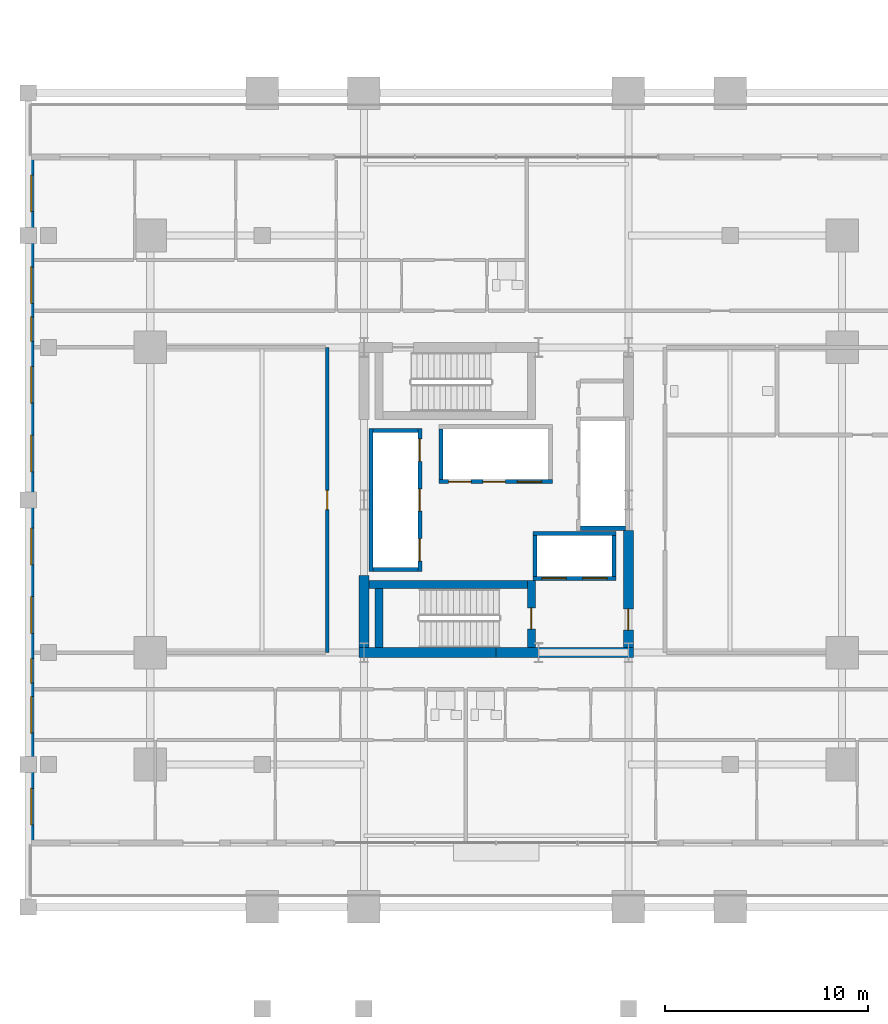
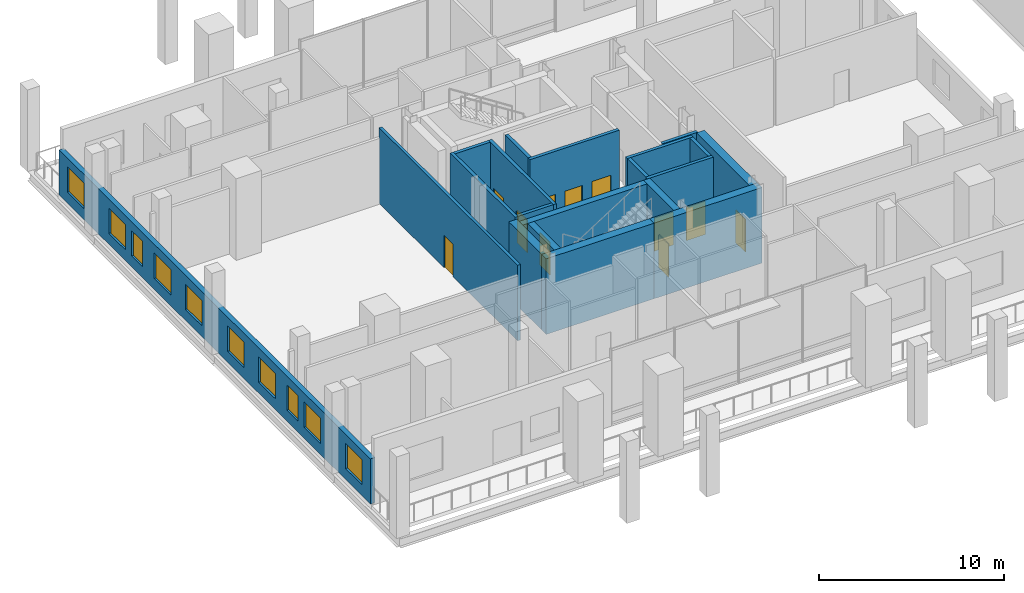
# One storey, part 17 of 25: 20 walls, 11 doors, 10 windows, 21 openings.
"""IFC4 building model written with IfcOpenShell, lengths in metres."""

from ifc_helpers import new_model, si_unit, direction, frame, frame_2d, origin, place, context, subcontext, project, spatial, rectangle, extrude, material, layer, layer_set, type_object, element, fill, save


model = new_model("IFC4")

# Units and contexts
model_context = context("Model", 3, precision=1e-05, world=origin(), true_north=direction((0.0, 1.0)))
body_context = subcontext(model_context, "Body", "Model", "MODEL_VIEW")
ifc_project = project(units=[si_unit("LENGTHUNIT", "METRE"), si_unit("AREAUNIT", "SQUARE_METRE"), si_unit("VOLUMEUNIT", "CUBIC_METRE"), si_unit("PLANEANGLEUNIT", "RADIAN"), si_unit("MASSUNIT", "GRAM", prefix="KILO")], contexts=[model_context])

# Site, building, storey
site_placement = place(None, origin())
site = spatial("IfcSite", under=ifc_project, at=site_placement, CompositionType="ELEMENT")
building_placement = place(site_placement, origin())
building = spatial("IfcBuilding", under=site, at=building_placement, Name="Barlavira Tower and Art Museum", CompositionType="ELEMENT")
storey_placement = place(building_placement, frame((0.0, 0.0, 22.199951171875)))
storey = spatial("IfcBuildingStorey", under=building, at=storey_placement, Name="L04", CompositionType="ELEMENT", Elevation=22.199951171875)

# Walls
ifc_material_1 = material(Name="Concrete C60", Category="concrete")
ifc_layer_1 = layer(ifc_material_1, 0.5, Name="Concrete C60")
ifc_layer_set_1 = layer_set([ifc_layer_1], Name="Concrete C60")
wall_type_1 = type_object("IfcWallType", Name="Core Structural Shear Wall 500 Concrete C60", PredefinedType="SHEAR", material=ifc_layer_set_1)
for number, where, z_axis, x_axis, name in (
    (1, (-6.75, -7.5, 0.0), (0.0, 0.0, 1.0), (1.0, 0.0, 0.0), "L04 Core Shear Wall CS-SW"),
    (2, (0.0, -7.5, 0.0), (0.0, 0.0, 1.0), (1.0, 0.0, 0.0), "L04 Core Shear Wall CS-SE"),
):
    element("IfcWall", number, at=place(storey_placement, frame(where, z_axis=z_axis, x_axis=x_axis)), inside=storey, type_object=wall_type_1, Name=name, PredefinedType="SHEAR", context=body_context, shape_type="SweptSolid", body=[
        extrude(rectangle(XDim=6.75, YDim=0.5, at=frame_2d((3.375, 0.0))), origin(), (0.0, 0.0, 1.0), 5.0),
    ])
wall_1_placement = place(storey_placement, frame((-6.5, -7.25, 0.0), z_axis=(0.0, 0.0, 1.0), x_axis=(0.0, 1.0, 0.0)))
element("IfcWall", 3, at=wall_1_placement, inside=storey, type_object=wall_type_1, Name="L04 Core Shear Wall CS-W1", PredefinedType="SHEAR", context=body_context, shape_type="SweptSolid", body=[
    extrude(rectangle(XDim=3.550048828125, YDim=0.5, at=frame_2d((1.77490234375, 0.0))), origin(), (0.0, 0.0, 1.0), 5.0),
])

# Wall, opening, door
wall_2_placement = place(storey_placement, frame((6.5, -7.25, 0.0), z_axis=(0.0, 0.0, 1.0), x_axis=(0.0, 1.0, 0.0)))
wall_2 = element("IfcWall", 4, at=wall_2_placement, inside=storey, type_object=wall_type_1, Name="L04 Core Shear Wall CS-E1", PredefinedType="SHEAR", context=body_context, shape_type="SweptSolid", body=[
    extrude(rectangle(XDim=5.75, YDim=0.5, at=frame_2d((2.875, 0.0))), origin(), (0.0, 0.0, 1.0), 5.0),
])
opening_1_placement = place(wall_2_placement, frame((0.85009765625, 0.0, 0.0)))
opening_1 = element("IfcOpeningElement", 5, at=opening_1_placement, cuts=wall_2, Name="Opening FD-90", PredefinedType="OPENING", context=body_context, shape_type="SweptSolid", body=[
    extrude(rectangle(XDim=1.050048828125, YDim=2.14990234375, at=frame_2d((0.52490234375, 1.074951171875))), frame((0.0, 0.260009765625, 0.0), z_axis=(0.0, -1.0, 0.0), x_axis=(1.0, 0.0, 0.0)), (0.0, 0.0, 1.0), 0.52001953125),
])
ifc_material_2 = material(Name="Brushed stainless steel", Category="steel")
door_type_1 = type_object("IfcDoorType", Name="Stair and Refuge Fire Door 1050x2150 FD90S", OperationType="NOTDEFINED", PredefinedType="DOOR", material=ifc_material_2)
door_1_placement = place(opening_1_placement, origin())
door_1 = element("IfcDoor", 6, at=door_1_placement, inside=storey, type_object=door_type_1, Name="L04 Firefighting Lobby Entry Fire Door", OperationType="SINGLE_SWING_LEFT", OverallHeight=2.14990234375, OverallWidth=1.050048828125, PredefinedType="DOOR", context=body_context, shape_type="SweptSolid", body=[
    extrude(rectangle(XDim=1.050048828125, YDim=2.14990234375, at=frame_2d((0.52490234375, 1.074951171875))), frame((0.0, 0.02490234375, 0.0), z_axis=(0.0, -1.0, 0.0), x_axis=(1.0, 0.0, 0.0)), (0.0, 0.0, 1.0), 0.050048828125),
])
fill(opening_1, door_1)

# Wall, openings, doors
ifc_material_3 = material(Name="Autoclaved aerated concrete masonry", Category="masonry")
ifc_layer_2 = layer(ifc_material_3, 0.199951171875, Name="Autoclaved aerated concrete masonry")
ifc_layer_set_2 = layer_set([ifc_layer_2], Name="Autoclaved aerated concrete masonry")
wall_type_2 = type_object("IfcWallType", Name="Fire Compartment and Shaft Wall 200", PredefinedType="SOLIDWALL", material=ifc_layer_set_2)
wall_3_placement = place(storey_placement, frame((-3.75, -3.510009765625, 0.0), z_axis=(0.0, 0.0, 1.0), x_axis=(0.0, 1.0, 0.0)))
wall_3 = element("IfcWall", 7, at=wall_3_placement, inside=storey, type_object=wall_type_2, Name="L04 Low-Rise Lift Front Shaft Wall", PredefinedType="SOLIDWALL", context=body_context, shape_type="SweptSolid", body=[
    extrude(rectangle(XDim=7.02001953125, YDim=0.199951171875, at=frame_2d((3.510009765625, 0.0))), origin(), (0.0, 0.0, 1.0), 5.0),
])
opening_2_placement = place(wall_3_placement, frame((0.510009765625, 0.0, 0.0)))
opening_2 = element("IfcOpeningElement", 8, at=opening_2_placement, cuts=wall_3, Name="Opening LD-P", PredefinedType="OPENING", context=body_context, shape_type="SweptSolid", body=[
    extrude(rectangle(XDim=1.10009765625, YDim=2.14990234375, at=frame_2d((0.550048828125, 1.074951171875))), frame((0.0, 0.10986328125, 0.0), z_axis=(0.0, -1.0, 0.0), x_axis=(1.0, 0.0, 0.0)), (0.0, 0.0, 1.0), 0.219970703125),
])
opening_3_placement = place(wall_3_placement, frame((2.9599609375, 0.0, 0.0)))
opening_3 = element("IfcOpeningElement", 9, at=opening_3_placement, cuts=wall_3, Name="Opening LD-P", PredefinedType="OPENING", context=body_context, shape_type="SweptSolid", body=[
    extrude(rectangle(XDim=1.10009765625, YDim=2.14990234375, at=frame_2d((0.550048828125, 1.074951171875))), frame((0.0, 0.10986328125, 0.0), z_axis=(0.0, -1.0, 0.0), x_axis=(1.0, 0.0, 0.0)), (0.0, 0.0, 1.0), 0.219970703125),
])
opening_4_placement = place(wall_3_placement, frame((5.409912109375, 0.0, 0.0)))
opening_4 = element("IfcOpeningElement", 10, at=opening_4_placement, cuts=wall_3, Name="Opening LD-P", PredefinedType="OPENING", context=body_context, shape_type="SweptSolid", body=[
    extrude(rectangle(XDim=1.10009765625, YDim=2.14990234375, at=frame_2d((0.550048828125, 1.074951171875))), frame((0.0, 0.10986328125, 0.0), z_axis=(0.0, -1.0, 0.0), x_axis=(1.0, 0.0, 0.0)), (0.0, 0.0, 1.0), 0.219970703125),
])
door_type_2 = type_object("IfcDoorType", Name="Passenger Lift Sliding Landing Door 1100x2150 FD60", OperationType="NOTDEFINED", PredefinedType="DOOR", material=ifc_material_2)
door_2_placement = place(opening_2_placement, origin())
door_2 = element("IfcDoor", 11, at=door_2_placement, inside=storey, type_object=door_type_2, Name="L04 Lift PL1 Sliding Landing Door", OperationType="DOUBLE_DOOR_SLIDING", OverallHeight=2.14990234375, OverallWidth=1.10009765625, PredefinedType="DOOR", context=body_context, shape_type="SweptSolid", body=[
    extrude(rectangle(XDim=1.10009765625, YDim=2.14990234375, at=frame_2d((0.550048828125, 1.074951171875))), frame((0.0, 0.02490234375, 0.0), z_axis=(0.0, -1.0, 0.0), x_axis=(1.0, 0.0, 0.0)), (0.0, 0.0, 1.0), 0.050048828125),
])
fill(opening_2, door_2)
door_3_placement = place(opening_3_placement, origin())
door_3 = element("IfcDoor", 12, at=door_3_placement, inside=storey, type_object=door_type_2, Name="L04 Lift PL2 Sliding Landing Door", OperationType="DOUBLE_DOOR_SLIDING", OverallHeight=2.14990234375, OverallWidth=1.10009765625, PredefinedType="DOOR", context=body_context, shape_type="SweptSolid", body=[
    extrude(rectangle(XDim=1.10009765625, YDim=2.14990234375, at=frame_2d((0.550048828125, 1.074951171875))), frame((0.0, 0.02490234375, 0.0), z_axis=(0.0, -1.0, 0.0), x_axis=(1.0, 0.0, 0.0)), (0.0, 0.0, 1.0), 0.050048828125),
])
fill(opening_3, door_3)
door_4_placement = place(opening_4_placement, origin())
door_4 = element("IfcDoor", 13, at=door_4_placement, inside=storey, type_object=door_type_2, Name="L04 Lift PL3 Sliding Landing Door", OperationType="DOUBLE_DOOR_SLIDING", OverallHeight=2.14990234375, OverallWidth=1.10009765625, PredefinedType="DOOR", context=body_context, shape_type="SweptSolid", body=[
    extrude(rectangle(XDim=1.10009765625, YDim=2.14990234375, at=frame_2d((0.550048828125, 1.074951171875))), frame((0.0, 0.02490234375, 0.0), z_axis=(0.0, -1.0, 0.0), x_axis=(1.0, 0.0, 0.0)), (0.0, 0.0, 1.0), 0.050048828125),
])
fill(opening_4, door_4)

# Walls
wall_4_placement = place(storey_placement, frame((-6.14990234375, -3.510009765625, 0.0), z_axis=(0.0, 0.0, 1.0), x_axis=(0.0, 1.0, 0.0)))
element("IfcWall", 14, at=wall_4_placement, inside=storey, type_object=wall_type_2, Name="L04 Low-Rise Lift Back Shaft Wall", PredefinedType="SOLIDWALL", context=body_context, shape_type="SweptSolid", body=[
    extrude(rectangle(XDim=7.02001953125, YDim=0.199951171875, at=frame_2d((3.510009765625, 0.0))), origin(), (0.0, 0.0, 1.0), 5.0),
])
for number, where, z_axis, x_axis, name in (
    (15, (-6.050048828125, -3.409912109375, 0.0), (0.0, 0.0, 1.0), (1.0, 0.0, 0.0), "L04 Low-Rise Lift South Shaft Wall"),
    (16, (-6.050048828125, 3.409912109375, 0.0), (0.0, 0.0, 1.0), (1.0, 0.0, 0.0), "L04 Low-Rise Lift North Shaft Wall"),
):
    element("IfcWall", number, at=place(storey_placement, frame(where, z_axis=z_axis, x_axis=x_axis)), inside=storey, type_object=wall_type_2, Name=name, PredefinedType="SOLIDWALL", context=body_context, shape_type="SweptSolid", body=[
        extrude(rectangle(XDim=2.199951171875, YDim=0.199951171875, at=frame_2d((1.10009765625, 0.0))), origin(), (0.0, 0.0, 1.0), 5.0),
    ])
wall_5_placement = place(storey_placement, frame((4.14990234375, -1.389892578125, 0.0), z_axis=(0.0, 0.0, 1.0), x_axis=(1.0, 0.0, 0.0)))
element("IfcWall", 17, at=wall_5_placement, inside=storey, type_object=wall_type_2, Name="L04 Mid-Rise Lift South Shaft Wall", PredefinedType="SOLIDWALL", context=body_context, shape_type="SweptSolid", body=[
    extrude(rectangle(XDim=2.2001953125, YDim=0.199951171875, at=frame_2d((1.10009765625, 0.0))), origin(), (0.0, 0.0, 1.0), 5.0),
])

# Wall, openings, doors
wall_6_placement = place(storey_placement, frame((-2.820068359375, 0.89990234375, 0.0), z_axis=(0.0, 0.0, 1.0), x_axis=(1.0, 0.0, 0.0)))
wall_6 = element("IfcWall", 18, at=wall_6_placement, inside=storey, type_object=wall_type_2, Name="L04 High-Rise & Service Lift Front Wall", PredefinedType="SOLIDWALL", context=body_context, shape_type="SweptSolid", body=[
    extrude(rectangle(XDim=5.580078125, YDim=0.199951171875, at=frame_2d((2.7900390625, 0.0))), origin(), (0.0, 0.0, 1.0), 5.0),
])
opening_5_placement = place(wall_6_placement, frame((0.489990234375, 0.0, 0.0)))
opening_5 = element("IfcOpeningElement", 19, at=opening_5_placement, cuts=wall_6, Name="Opening LD-P", PredefinedType="OPENING", context=body_context, shape_type="SweptSolid", body=[
    extrude(rectangle(XDim=1.10009765625, YDim=2.14990234375, at=frame_2d((0.550048828125, 1.074951171875))), frame((0.0, 0.10986328125, 0.0), z_axis=(0.0, -1.0, 0.0), x_axis=(1.0, 0.0, 0.0)), (0.0, 0.0, 1.0), 0.219970703125),
])
opening_6_placement = place(wall_6_placement, frame((2.169921875, 0.0, 0.0)))
opening_6 = element("IfcOpeningElement", 20, at=opening_6_placement, cuts=wall_6, Name="Opening LD-P", PredefinedType="OPENING", context=body_context, shape_type="SweptSolid", body=[
    extrude(rectangle(XDim=1.10009765625, YDim=2.14990234375, at=frame_2d((0.550048828125, 1.074951171875))), frame((0.0, 0.10986328125, 0.0), z_axis=(0.0, -1.0, 0.0), x_axis=(1.0, 0.0, 0.0)), (0.0, 0.0, 1.0), 0.219970703125),
])
opening_7_placement = place(wall_6_placement, frame((3.860107421875, 0.0, 0.0)))
opening_7 = element("IfcOpeningElement", 21, at=opening_7_placement, cuts=wall_6, Name="Opening LD-F", PredefinedType="OPENING", context=body_context, shape_type="SweptSolid", body=[
    extrude(rectangle(XDim=1.199951171875, YDim=2.199951171875, at=frame_2d((0.60009765625, 1.10009765625))), frame((0.0, 0.10986328125, 0.0), z_axis=(0.0, -1.0, 0.0), x_axis=(1.0, 0.0, 0.0)), (0.0, 0.0, 1.0), 0.219970703125),
])
door_type_3 = type_object("IfcDoorType", Name="Firefighting and Service Lift Sliding Door 1200x2200 FD120", OperationType="NOTDEFINED", PredefinedType="DOOR", material=ifc_material_2)
door_5_placement = place(opening_7_placement, origin())
door_5 = element("IfcDoor", 22, at=door_5_placement, inside=storey, type_object=door_type_3, Name="L04 Stretcher Service Lift SL1 Sliding Door", OperationType="DOUBLE_DOOR_SLIDING", OverallHeight=2.199951171875, OverallWidth=1.199951171875, PredefinedType="DOOR", context=body_context, shape_type="SweptSolid", body=[
    extrude(rectangle(XDim=1.199951171875, YDim=2.199951171875, at=frame_2d((0.60009765625, 1.10009765625))), frame((0.0, 0.02490234375, 0.0), z_axis=(0.0, -1.0, 0.0), x_axis=(1.0, 0.0, 0.0)), (0.0, 0.0, 1.0), 0.050048828125),
])
fill(opening_7, door_5)
door_6_placement = place(opening_5_placement, origin())
door_6 = element("IfcDoor", 23, at=door_6_placement, inside=storey, type_object=door_type_2, Name="L04 Lift PH1 Sliding Landing Door", OperationType="DOUBLE_DOOR_SLIDING", OverallHeight=2.14990234375, OverallWidth=1.10009765625, PredefinedType="DOOR", context=body_context, shape_type="SweptSolid", body=[
    extrude(rectangle(XDim=1.10009765625, YDim=2.14990234375, at=frame_2d((0.550048828125, 1.074951171875))), frame((0.0, 0.02490234375, 0.0), z_axis=(0.0, -1.0, 0.0), x_axis=(1.0, 0.0, 0.0)), (0.0, 0.0, 1.0), 0.050048828125),
])
fill(opening_5, door_6)
door_7_placement = place(opening_6_placement, origin())
door_7 = element("IfcDoor", 24, at=door_7_placement, inside=storey, type_object=door_type_2, Name="L04 Lift PH2 Sliding Landing Door", OperationType="DOUBLE_DOOR_SLIDING", OverallHeight=2.14990234375, OverallWidth=1.10009765625, PredefinedType="DOOR", context=body_context, shape_type="SweptSolid", body=[
    extrude(rectangle(XDim=1.10009765625, YDim=2.14990234375, at=frame_2d((0.550048828125, 1.074951171875))), frame((0.0, 0.02490234375, 0.0), z_axis=(0.0, -1.0, 0.0), x_axis=(1.0, 0.0, 0.0)), (0.0, 0.0, 1.0), 0.050048828125),
])
fill(opening_6, door_7)

# Wall
wall_7_placement = place(storey_placement, frame((-2.719970703125, 1.0, 0.0), z_axis=(0.0, 0.0, 1.0), x_axis=(0.0, 1.0, 0.0)))
element("IfcWall", 25, at=wall_7_placement, inside=storey, type_object=wall_type_2, Name="L04 High-Rise & Service Lift West Wall", PredefinedType="SOLIDWALL", context=body_context, shape_type="SweptSolid", body=[
    extrude(rectangle(XDim=2.5, YDim=0.199951171875, at=frame_2d((1.25, 0.0))), origin(), (0.0, 0.0, 1.0), 5.0),
])

# Wall, openings, doors
wall_8_placement = place(storey_placement, frame((1.800048828125, -3.85009765625, 0.0), z_axis=(0.0, 0.0, 1.0), x_axis=(1.0, 0.0, 0.0)))
wall_8 = element("IfcWall", 26, at=wall_8_placement, inside=storey, type_object=wall_type_2, Name="L04 Firefighting Lift Front Shaft Wall", PredefinedType="SOLIDWALL", context=body_context, shape_type="SweptSolid", body=[
    extrude(rectangle(XDim=4.099853515625, YDim=0.199951171875, at=frame_2d((2.0498046875, 0.0))), origin(), (0.0, 0.0, 1.0), 5.0),
])
opening_8_placement = place(wall_8_placement, frame((0.449951171875, 0.0, 0.0)))
opening_8 = element("IfcOpeningElement", 27, at=opening_8_placement, cuts=wall_8, Name="Opening LD-F", PredefinedType="OPENING", context=body_context, shape_type="SweptSolid", body=[
    extrude(rectangle(XDim=1.199951171875, YDim=2.199951171875, at=frame_2d((0.60009765625, 1.10009765625))), frame((0.0, 0.10986328125, 0.0), z_axis=(0.0, -1.0, 0.0), x_axis=(1.0, 0.0, 0.0)), (0.0, 0.0, 1.0), 0.219970703125),
])
opening_9_placement = place(wall_8_placement, frame((2.449951171875, 0.0, 0.0)))
opening_9 = element("IfcOpeningElement", 28, at=opening_9_placement, cuts=wall_8, Name="Opening LD-F", PredefinedType="OPENING", context=body_context, shape_type="SweptSolid", body=[
    extrude(rectangle(XDim=1.199951171875, YDim=2.199951171875, at=frame_2d((0.60009765625, 1.10009765625))), frame((0.0, 0.10986328125, 0.0), z_axis=(0.0, -1.0, 0.0), x_axis=(1.0, 0.0, 0.0)), (0.0, 0.0, 1.0), 0.219970703125),
])
door_8_placement = place(opening_8_placement, origin())
door_8 = element("IfcDoor", 29, at=door_8_placement, inside=storey, type_object=door_type_3, Name="L04 Firefighting Lift FF1 Sliding Door", OperationType="DOUBLE_DOOR_SLIDING", OverallHeight=2.199951171875, OverallWidth=1.199951171875, PredefinedType="DOOR", context=body_context, shape_type="SweptSolid", body=[
    extrude(rectangle(XDim=1.199951171875, YDim=2.199951171875, at=frame_2d((0.60009765625, 1.10009765625))), frame((0.0, 0.02490234375, 0.0), z_axis=(0.0, -1.0, 0.0), x_axis=(1.0, 0.0, 0.0)), (0.0, 0.0, 1.0), 0.050048828125),
])
fill(opening_8, door_8)
door_9_placement = place(opening_9_placement, origin())
door_9 = element("IfcDoor", 30, at=door_9_placement, inside=storey, type_object=door_type_3, Name="L04 Firefighting Lift FF2 Sliding Door", OperationType="DOUBLE_DOOR_SLIDING", OverallHeight=2.199951171875, OverallWidth=1.199951171875, PredefinedType="DOOR", context=body_context, shape_type="SweptSolid", body=[
    extrude(rectangle(XDim=1.199951171875, YDim=2.199951171875, at=frame_2d((0.60009765625, 1.10009765625))), frame((0.0, 0.02490234375, 0.0), z_axis=(0.0, -1.0, 0.0), x_axis=(1.0, 0.0, 0.0)), (0.0, 0.0, 1.0), 0.050048828125),
])
fill(opening_9, door_9)

# Walls
wall_9_placement = place(storey_placement, frame((1.800048828125, -1.64990234375, 0.0), z_axis=(0.0, 0.0, 1.0), x_axis=(1.0, 0.0, 0.0)))
element("IfcWall", 31, at=wall_9_placement, inside=storey, type_object=wall_type_2, Name="L04 Firefighting Lift Back Shaft Wall", PredefinedType="SOLIDWALL", context=body_context, shape_type="SweptSolid", body=[
    extrude(rectangle(XDim=4.099853515625, YDim=0.199951171875, at=frame_2d((2.0498046875, 0.0))), origin(), (0.0, 0.0, 1.0), 5.0),
])
for number, where, z_axis, x_axis, name in (
    (32, (1.89990234375, -3.75, 0.0), (0.0, 0.0, 1.0), (0.0, 1.0, 0.0), "L04 Firefighting Lift West Shaft Wall"),
    (33, (5.800048828125, -3.75, 0.0), (0.0, 0.0, 1.0), (0.0, 1.0, 0.0), "L04 Firefighting Lift East Shaft Wall"),
):
    element("IfcWall", number, at=place(storey_placement, frame(where, z_axis=z_axis, x_axis=x_axis)), inside=storey, type_object=wall_type_2, Name=name, PredefinedType="SOLIDWALL", context=body_context, shape_type="SweptSolid", body=[
        extrude(rectangle(XDim=2.0, YDim=0.199951171875, at=frame_2d((1.0, 0.0))), origin(), (0.0, 0.0, 1.0), 5.0),
    ])

# Wall, opening, door
ifc_material_4 = material(Name="Gypsum acoustic stud partition", Category="gypsum")
ifc_layer_3 = layer(ifc_material_4, 0.179931640625, Name="Gypsum acoustic stud partition")
ifc_layer_set_3 = layer_set([ifc_layer_3], Name="Gypsum acoustic stud partition")
wall_type_3 = type_object("IfcWallType", Name="Inter-Tenancy Party Partition Wall 180", PredefinedType="PARTITIONING", material=ifc_layer_set_3)
wall_10_placement = place(storey_placement, frame((-8.300048828125, -7.5, 0.0), z_axis=(0.0, 0.0, 1.0), x_axis=(0.0, 1.0, 0.0)))
wall_10 = element("IfcWall", 34, at=wall_10_placement, inside=storey, type_object=wall_type_3, Name="L04 Partition Wall 5", PredefinedType="PARTITIONING", context=body_context, shape_type="SweptSolid", body=[
    extrude(rectangle(XDim=15.0, YDim=0.179931640625, at=frame_2d((7.5, 0.0))), origin(), (0.0, 0.0, 1.0), 5.0),
])
opening_10_placement = place(wall_10_placement, frame((7.02490234375, 0.0, 0.0)))
opening_10 = element("IfcOpeningElement", 35, at=opening_10_placement, cuts=wall_10, Name="Opening FD-60", PredefinedType="OPENING", context=body_context, shape_type="SweptSolid", body=[
    extrude(rectangle(XDim=0.949951171875, YDim=2.14990234375, at=frame_2d((0.47509765625, 1.074951171875))), frame((0.0, 0.10009765625, 0.0), z_axis=(0.0, -1.0, 0.0), x_axis=(1.0, 0.0, 0.0)), (0.0, 0.0, 1.0), 0.199951171875),
])
door_type_4 = type_object("IfcDoorType", Name="Apartment Entrance and Riser Fire Door 950x2150 FD60S", OperationType="NOTDEFINED", PredefinedType="DOOR", material=ifc_material_2)
door_10_placement = place(opening_10_placement, origin())
door_10 = element("IfcDoor", 36, at=door_10_placement, inside=storey, type_object=door_type_4, Name="L04 West Ocean-View Lounge Door", OperationType="SINGLE_SWING_RIGHT", OverallHeight=2.14990234375, OverallWidth=0.949951171875, PredefinedType="DOOR", context=body_context, shape_type="SweptSolid", body=[
    extrude(rectangle(XDim=0.949951171875, YDim=2.14990234375, at=frame_2d((0.47509765625, 1.074951171875))), frame((0.0, 0.02490234375, 0.0), z_axis=(0.0, -1.0, 0.0), x_axis=(1.0, 0.0, 0.0)), (0.0, 0.0, 1.0), 0.050048828125),
])
fill(opening_10, door_10)

# Wall, openings, windows
ifc_material_5 = material(Name="Precast concrete C40", Category="concrete")
ifc_layer_4 = layer(ifc_material_5, 0.300048828125, Name="Precast concrete C40")
ifc_layer_set_4 = layer_set([ifc_layer_4], Name="Precast concrete C40")
wall_type_4 = type_object("IfcWallType", Name="Podium Architectural Precast Facade Wall 300 Concrete C40", PredefinedType="SOLIDWALL", material=ifc_layer_set_4)
wall_11_placement = place(storey_placement, frame((-22.85009765625, 16.85009765625, 0.0), z_axis=(0.0, 0.0, 1.0), x_axis=(0.0, -1.0, 0.0)))
wall_11 = element("IfcWall", 37, at=wall_11_placement, inside=storey, type_object=wall_type_4, Name="L04 Podium West Facade Wall", PredefinedType="SOLIDWALL", context=body_context, shape_type="SweptSolid", body=[
    extrude(rectangle(XDim=33.7001953125, YDim=0.300048828125, at=frame_2d((16.85009765625, 0.0))), origin(), (0.0, 0.0, 1.0), 2.985107421875),
])
opening_11_placement = place(wall_11_placement, frame((0.8798828125, 0.0, 0.719970703125)))
opening_11 = element("IfcOpeningElement", 38, at=opening_11_placement, cuts=wall_11, Name="Opening WN-01", PredefinedType="OPENING", context=body_context, shape_type="SweptSolid", body=[
    extrude(rectangle(XDim=1.800048828125, YDim=1.679931640625, at=frame_2d((0.89990234375, 0.83984375))), frame((0.0, 0.16015625, 0.0), z_axis=(0.0, -1.0, 0.0), x_axis=(1.0, 0.0, 0.0)), (0.0, 0.0, 1.0), 0.320068359375),
])
opening_12_placement = place(wall_11_placement, frame((5.389892578125, 0.0, 0.719970703125)))
opening_12 = element("IfcOpeningElement", 39, at=opening_12_placement, cuts=wall_11, Name="Opening WN-01", PredefinedType="OPENING", context=body_context, shape_type="SweptSolid", body=[
    extrude(rectangle(XDim=1.800048828125, YDim=1.679931640625, at=frame_2d((0.89990234375, 0.83984375))), frame((0.0, 0.16015625, 0.0), z_axis=(0.0, -1.0, 0.0), x_axis=(1.0, 0.0, 0.0)), (0.0, 0.0, 1.0), 0.320068359375),
])
opening_13_placement = place(wall_11_placement, frame((7.85009765625, 0.0, 0.719970703125)))
opening_13 = element("IfcOpeningElement", 40, at=opening_13_placement, cuts=wall_11, Name="Opening WN-05", PredefinedType="OPENING", context=body_context, shape_type="SweptSolid", body=[
    extrude(rectangle(XDim=1.199951171875, YDim=1.679931640625, at=frame_2d((0.60009765625, 0.83984375))), frame((0.0, 0.16015625, 0.0), z_axis=(0.0, -1.0, 0.0), x_axis=(1.0, 0.0, 0.0)), (0.0, 0.0, 1.0), 0.320068359375),
])
opening_14_placement = place(wall_11_placement, frame((10.294921875, 0.0, 0.719970703125)))
opening_14 = element("IfcOpeningElement", 41, at=opening_14_placement, cuts=wall_11, Name="Opening WN-01", PredefinedType="OPENING", context=body_context, shape_type="SweptSolid", body=[
    extrude(rectangle(XDim=1.800048828125, YDim=1.679931640625, at=frame_2d((0.89990234375, 0.83984375))), frame((0.0, 0.16015625, 0.0), z_axis=(0.0, -1.0, 0.0), x_axis=(1.0, 0.0, 0.0)), (0.0, 0.0, 1.0), 0.320068359375),
])
opening_15_placement = place(wall_11_placement, frame((13.6650390625, 0.0, 0.719970703125)))
opening_15 = element("IfcOpeningElement", 42, at=opening_15_placement, cuts=wall_11, Name="Opening WN-01", PredefinedType="OPENING", context=body_context, shape_type="SweptSolid", body=[
    extrude(rectangle(XDim=1.800048828125, YDim=1.679931640625, at=frame_2d((0.89990234375, 0.83984375))), frame((0.0, 0.16015625, 0.0), z_axis=(0.0, -1.0, 0.0), x_axis=(1.0, 0.0, 0.0)), (0.0, 0.0, 1.0), 0.320068359375),
])
opening_16_placement = place(wall_11_placement, frame((18.235107421875, 0.0, 0.719970703125)))
opening_16 = element("IfcOpeningElement", 43, at=opening_16_placement, cuts=wall_11, Name="Opening WN-01", PredefinedType="OPENING", context=body_context, shape_type="SweptSolid", body=[
    extrude(rectangle(XDim=1.800048828125, YDim=1.679931640625, at=frame_2d((0.89990234375, 0.83984375))), frame((0.0, 0.16015625, 0.0), z_axis=(0.0, -1.0, 0.0), x_axis=(1.0, 0.0, 0.0)), (0.0, 0.0, 1.0), 0.320068359375),
])
opening_17_placement = place(wall_11_placement, frame((21.60498046875, 0.0, 0.719970703125)))
opening_17 = element("IfcOpeningElement", 44, at=opening_17_placement, cuts=wall_11, Name="Opening WN-01", PredefinedType="OPENING", context=body_context, shape_type="SweptSolid", body=[
    extrude(rectangle(XDim=1.800048828125, YDim=1.679931640625, at=frame_2d((0.89990234375, 0.83984375))), frame((0.0, 0.16015625, 0.0), z_axis=(0.0, -1.0, 0.0), x_axis=(1.0, 0.0, 0.0)), (0.0, 0.0, 1.0), 0.320068359375),
])
opening_18_placement = place(wall_11_placement, frame((24.64990234375, 0.0, 0.719970703125)))
opening_18 = element("IfcOpeningElement", 45, at=opening_18_placement, cuts=wall_11, Name="Opening WN-05", PredefinedType="OPENING", context=body_context, shape_type="SweptSolid", body=[
    extrude(rectangle(XDim=1.199951171875, YDim=1.679931640625, at=frame_2d((0.60009765625, 0.83984375))), frame((0.0, 0.16015625, 0.0), z_axis=(0.0, -1.0, 0.0), x_axis=(1.0, 0.0, 0.0)), (0.0, 0.0, 1.0), 0.320068359375),
])
opening_19_placement = place(wall_11_placement, frame((26.510009765625, 0.0, 0.719970703125)))
opening_19 = element("IfcOpeningElement", 46, at=opening_19_placement, cuts=wall_11, Name="Opening WN-01", PredefinedType="OPENING", context=body_context, shape_type="SweptSolid", body=[
    extrude(rectangle(XDim=1.800048828125, YDim=1.679931640625, at=frame_2d((0.89990234375, 0.83984375))), frame((0.0, 0.16015625, 0.0), z_axis=(0.0, -1.0, 0.0), x_axis=(1.0, 0.0, 0.0)), (0.0, 0.0, 1.0), 0.320068359375),
])
opening_20_placement = place(wall_11_placement, frame((31.02001953125, 0.0, 0.719970703125)))
opening_20 = element("IfcOpeningElement", 47, at=opening_20_placement, cuts=wall_11, Name="Opening WN-01", PredefinedType="OPENING", context=body_context, shape_type="SweptSolid", body=[
    extrude(rectangle(XDim=1.800048828125, YDim=1.679931640625, at=frame_2d((0.89990234375, 0.83984375))), frame((0.0, 0.16015625, 0.0), z_axis=(0.0, -1.0, 0.0), x_axis=(1.0, 0.0, 0.0)), (0.0, 0.0, 1.0), 0.320068359375),
])
ifc_material_6 = material(Name="Low-iron coastal laminated glass", Category="glass")
window_type_1 = type_object("IfcWindowType", Name="Recessed Flank Pier Punch Window 1200x1680", PartitioningType="SINGLE_PANEL", PredefinedType="WINDOW", material=ifc_material_6)
window_1_placement = place(opening_13_placement, origin())
window_1 = element("IfcWindow", 48, at=window_1_placement, inside=storey, type_object=window_type_1, Name="L04 Punched Facade Window EW-L04-W-3", OverallHeight=1.679931640625, OverallWidth=1.199951171875, PartitioningType="SINGLE_PANEL", PredefinedType="WINDOW", context=body_context, shape_type="SweptSolid", body=[
    extrude(rectangle(XDim=1.199951171875, YDim=1.679931640625, at=frame_2d((0.60009765625, 0.83984375))), frame((0.0, 0.030029296875, 0.0), z_axis=(0.0, -1.0, 0.0), x_axis=(1.0, 0.0, 0.0)), (0.0, 0.0, 1.0), 0.06005859375),
])
fill(opening_13, window_1)
window_2_placement = place(opening_18_placement, origin())
window_2 = element("IfcWindow", 49, at=window_2_placement, inside=storey, type_object=window_type_1, Name="L04 Punched Facade Window EW-L04-W-8", OverallHeight=1.679931640625, OverallWidth=1.199951171875, PartitioningType="SINGLE_PANEL", PredefinedType="WINDOW", context=body_context, shape_type="SweptSolid", body=[
    extrude(rectangle(XDim=1.199951171875, YDim=1.679931640625, at=frame_2d((0.60009765625, 0.83984375))), frame((0.0, 0.030029296875, 0.0), z_axis=(0.0, -1.0, 0.0), x_axis=(1.0, 0.0, 0.0)), (0.0, 0.0, 1.0), 0.06005859375),
])
fill(opening_18, window_2)
window_type_2 = type_object("IfcWindowType", Name="Recessed Notch Corner Punch Window 1800x1680", PartitioningType="SINGLE_PANEL", PredefinedType="WINDOW", material=ifc_material_6)
window_3_placement = place(opening_11_placement, origin())
window_3 = element("IfcWindow", 50, at=window_3_placement, inside=storey, type_object=window_type_2, Name="L04 Punched Facade Window EW-L04-W-1", OverallHeight=1.679931640625, OverallWidth=1.800048828125, PartitioningType="SINGLE_PANEL", PredefinedType="WINDOW", context=body_context, shape_type="SweptSolid", body=[
    extrude(rectangle(XDim=1.800048828125, YDim=1.679931640625, at=frame_2d((0.89990234375, 0.83984375))), frame((0.0, 0.030029296875, 0.0), z_axis=(0.0, -1.0, 0.0), x_axis=(1.0, 0.0, 0.0)), (0.0, 0.0, 1.0), 0.06005859375),
])
fill(opening_11, window_3)
window_4_placement = place(opening_12_placement, origin())
window_4 = element("IfcWindow", 51, at=window_4_placement, inside=storey, type_object=window_type_2, Name="L04 Punched Facade Window EW-L04-W-2", OverallHeight=1.679931640625, OverallWidth=1.800048828125, PartitioningType="SINGLE_PANEL", PredefinedType="WINDOW", context=body_context, shape_type="SweptSolid", body=[
    extrude(rectangle(XDim=1.800048828125, YDim=1.679931640625, at=frame_2d((0.89990234375, 0.83984375))), frame((0.0, 0.030029296875, 0.0), z_axis=(0.0, -1.0, 0.0), x_axis=(1.0, 0.0, 0.0)), (0.0, 0.0, 1.0), 0.06005859375),
])
fill(opening_12, window_4)
window_5_placement = place(opening_14_placement, origin())
window_5 = element("IfcWindow", 52, at=window_5_placement, inside=storey, type_object=window_type_2, Name="L04 Punched Facade Window EW-L04-W-4", OverallHeight=1.679931640625, OverallWidth=1.800048828125, PartitioningType="SINGLE_PANEL", PredefinedType="WINDOW", context=body_context, shape_type="SweptSolid", body=[
    extrude(rectangle(XDim=1.800048828125, YDim=1.679931640625, at=frame_2d((0.89990234375, 0.83984375))), frame((0.0, 0.030029296875, 0.0), z_axis=(0.0, -1.0, 0.0), x_axis=(1.0, 0.0, 0.0)), (0.0, 0.0, 1.0), 0.06005859375),
])
fill(opening_14, window_5)
window_6_placement = place(opening_15_placement, origin())
window_6 = element("IfcWindow", 53, at=window_6_placement, inside=storey, type_object=window_type_2, Name="L04 Punched Facade Window EW-L04-W-5", OverallHeight=1.679931640625, OverallWidth=1.800048828125, PartitioningType="SINGLE_PANEL", PredefinedType="WINDOW", context=body_context, shape_type="SweptSolid", body=[
    extrude(rectangle(XDim=1.800048828125, YDim=1.679931640625, at=frame_2d((0.89990234375, 0.83984375))), frame((0.0, 0.030029296875, 0.0), z_axis=(0.0, -1.0, 0.0), x_axis=(1.0, 0.0, 0.0)), (0.0, 0.0, 1.0), 0.06005859375),
])
fill(opening_15, window_6)
window_7_placement = place(opening_16_placement, origin())
window_7 = element("IfcWindow", 54, at=window_7_placement, inside=storey, type_object=window_type_2, Name="L04 Punched Facade Window EW-L04-W-6", OverallHeight=1.679931640625, OverallWidth=1.800048828125, PartitioningType="SINGLE_PANEL", PredefinedType="WINDOW", context=body_context, shape_type="SweptSolid", body=[
    extrude(rectangle(XDim=1.800048828125, YDim=1.679931640625, at=frame_2d((0.89990234375, 0.83984375))), frame((0.0, 0.030029296875, 0.0), z_axis=(0.0, -1.0, 0.0), x_axis=(1.0, 0.0, 0.0)), (0.0, 0.0, 1.0), 0.06005859375),
])
fill(opening_16, window_7)
window_8_placement = place(opening_17_placement, origin())
window_8 = element("IfcWindow", 55, at=window_8_placement, inside=storey, type_object=window_type_2, Name="L04 Punched Facade Window EW-L04-W-7", OverallHeight=1.679931640625, OverallWidth=1.800048828125, PartitioningType="SINGLE_PANEL", PredefinedType="WINDOW", context=body_context, shape_type="SweptSolid", body=[
    extrude(rectangle(XDim=1.800048828125, YDim=1.679931640625, at=frame_2d((0.89990234375, 0.83984375))), frame((0.0, 0.030029296875, 0.0), z_axis=(0.0, -1.0, 0.0), x_axis=(1.0, 0.0, 0.0)), (0.0, 0.0, 1.0), 0.06005859375),
])
fill(opening_17, window_8)
window_9_placement = place(opening_19_placement, origin())
window_9 = element("IfcWindow", 56, at=window_9_placement, inside=storey, type_object=window_type_2, Name="L04 Punched Facade Window EW-L04-W-9", OverallHeight=1.679931640625, OverallWidth=1.800048828125, PartitioningType="SINGLE_PANEL", PredefinedType="WINDOW", context=body_context, shape_type="SweptSolid", body=[
    extrude(rectangle(XDim=1.800048828125, YDim=1.679931640625, at=frame_2d((0.89990234375, 0.83984375))), frame((0.0, 0.030029296875, 0.0), z_axis=(0.0, -1.0, 0.0), x_axis=(1.0, 0.0, 0.0)), (0.0, 0.0, 1.0), 0.06005859375),
])
fill(opening_19, window_9)
window_10_placement = place(opening_20_placement, origin())
window_10 = element("IfcWindow", 57, at=window_10_placement, inside=storey, type_object=window_type_2, Name="L04 Punched Facade Window EW-L04-W-10", OverallHeight=1.679931640625, OverallWidth=1.800048828125, PartitioningType="SINGLE_PANEL", PredefinedType="WINDOW", context=body_context, shape_type="SweptSolid", body=[
    extrude(rectangle(XDim=1.800048828125, YDim=1.679931640625, at=frame_2d((0.89990234375, 0.83984375))), frame((0.0, 0.030029296875, 0.0), z_axis=(0.0, -1.0, 0.0), x_axis=(1.0, 0.0, 0.0)), (0.0, 0.0, 1.0), 0.06005859375),
])
fill(opening_20, window_10)

# Walls
ifc_material_7 = material(Name="Concrete C55", Category="concrete")
ifc_layer_5 = layer(ifc_material_7, 0.39990234375, Name="Concrete C55")
ifc_layer_set_5 = layer_set([ifc_layer_5], Name="Concrete C55")
wall_type_5 = type_object("IfcWallType", Name="Upper Core Shear Wall 400 Concrete C55", PredefinedType="SHEAR", material=ifc_layer_set_5)
wall_12_placement = place(storey_placement, frame((-5.75, -7.25, 0.0), z_axis=(0.0, 0.0, 1.0), x_axis=(0.0, 1.0, 0.0)))
element("IfcWall", 58, at=wall_12_placement, inside=storey, type_object=wall_type_5, Name="L04 ST-T1 West Half-Landing Wall", PredefinedType="SHEAR", context=body_context, shape_type="SweptSolid", body=[
    extrude(rectangle(XDim=2.89990234375, YDim=0.39990234375, at=frame_2d((1.449951171875, 0.0))), origin(), (0.0, 0.0, 1.0), 5.0),
])
wall_13_placement = place(storey_placement, frame((-6.25, -4.14990234375, 0.0), z_axis=(0.0, 0.0, 1.0), x_axis=(1.0, 0.0, 0.0)))
element("IfcWall", 59, at=wall_13_placement, inside=storey, type_object=wall_type_5, Name="L04 ST-T1 North Shaft Wall", PredefinedType="SHEAR", context=body_context, shape_type="SweptSolid", body=[
    extrude(rectangle(XDim=7.780029296875, YDim=0.39990234375, at=frame_2d((3.89013671875, 0.0))), origin(), (0.0, 0.0, 1.0), 5.0),
])

# Wall, opening, door
wall_14_placement = place(storey_placement, frame((1.72998046875, -7.25, 0.0), z_axis=(0.0, 0.0, 1.0), x_axis=(0.0, 1.0, 0.0)))
wall_14 = element("IfcWall", 60, at=wall_14_placement, inside=storey, type_object=wall_type_5, Name="L04 ST-T1 East Landing Wall", PredefinedType="SHEAR", context=body_context, shape_type="SweptSolid", body=[
    extrude(rectangle(XDim=3.300048828125, YDim=0.39990234375, at=frame_2d((1.64990234375, 0.0))), origin(), (0.0, 0.0, 1.0), 5.0),
])
opening_21_placement = place(wall_14_placement, frame((0.89990234375, 0.0, 0.0)))
opening_21 = element("IfcOpeningElement", 61, at=opening_21_placement, cuts=wall_14, Name="Opening FD-90", PredefinedType="OPENING", context=body_context, shape_type="SweptSolid", body=[
    extrude(rectangle(XDim=1.050048828125, YDim=2.14990234375, at=frame_2d((0.52490234375, 1.074951171875))), frame((0.0, 0.2099609375, 0.0), z_axis=(0.0, -1.0, 0.0), x_axis=(1.0, 0.0, 0.0)), (0.0, 0.0, 1.0), 0.419921875),
])
door_11_placement = place(opening_21_placement, origin())
door_11 = element("IfcDoor", 62, at=door_11_placement, inside=storey, type_object=door_type_1, Name="L04 Stair ST-T1 Fire Door", OperationType="SINGLE_SWING_RIGHT", OverallHeight=2.14990234375, OverallWidth=1.050048828125, PredefinedType="DOOR", context=body_context, shape_type="SweptSolid", body=[
    extrude(rectangle(XDim=1.050048828125, YDim=2.14990234375, at=frame_2d((0.52490234375, 1.074951171875))), frame((0.0, 0.02490234375, 0.0), z_axis=(0.0, -1.0, 0.0), x_axis=(1.0, 0.0, 0.0)), (0.0, 0.0, 1.0), 0.050048828125),
])
fill(opening_21, door_11)

save(model, "model.ifc")
